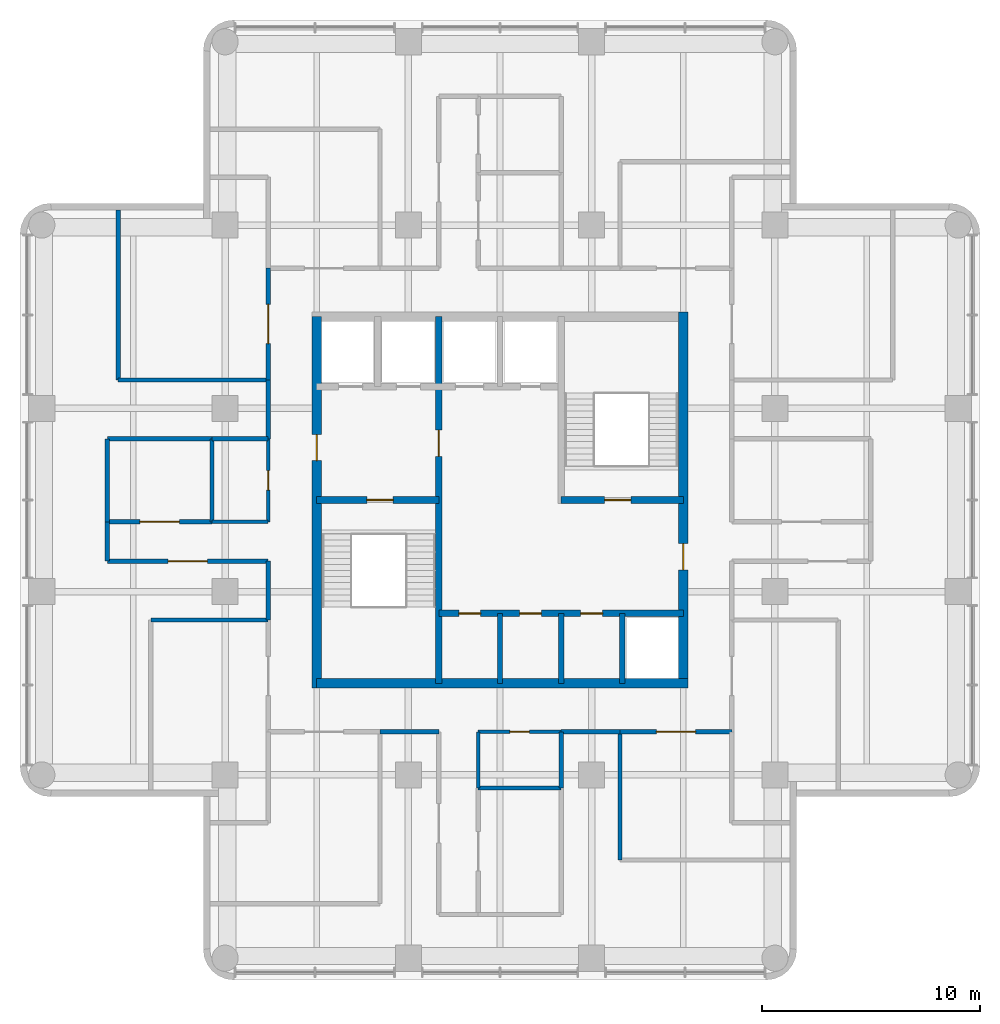
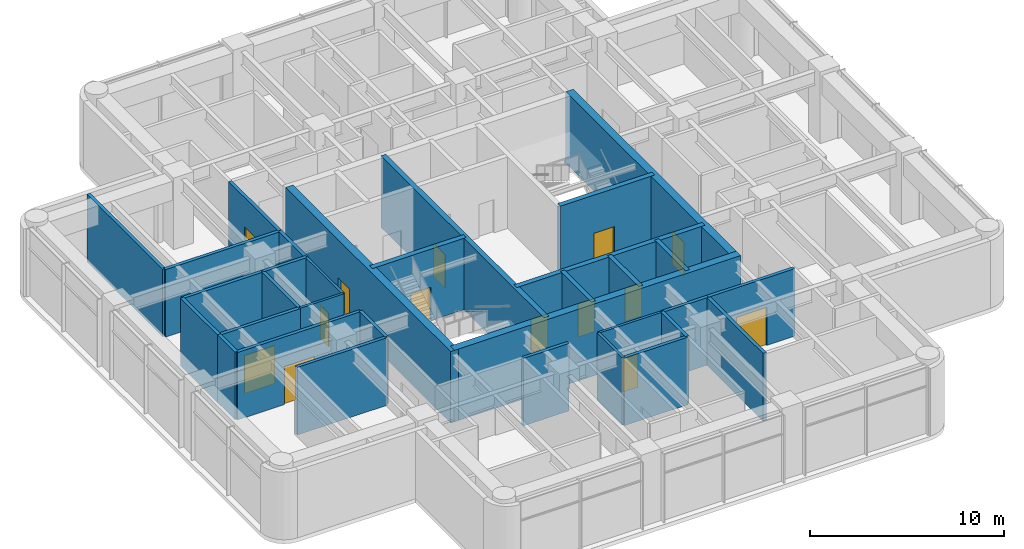
# One storey, part 5 of 8: 33 walls, 14 doors, 14 openings.
"""IFC4 building model written with IfcOpenShell, lengths in metres."""

from ifc_helpers import new_model, si_unit, direction, frame, frame_2d, origin, place, context, subcontext, project, spatial, rectangle, extrude, material, layer, layer_set, type_object, element, fill, save


model = new_model("IFC4")

# Units and contexts
model_context = context("Model", 3, precision=1e-05, world=origin(), true_north=direction((0.0, 1.0)))
body_context = subcontext(model_context, "Body", "Model", "MODEL_VIEW")
ifc_project = project(units=[si_unit("LENGTHUNIT", "METRE"), si_unit("AREAUNIT", "SQUARE_METRE"), si_unit("VOLUMEUNIT", "CUBIC_METRE"), si_unit("PLANEANGLEUNIT", "RADIAN"), si_unit("MASSUNIT", "GRAM", prefix="KILO")], contexts=[model_context])

# Site, building, storey
site_placement = place(None, origin())
site = spatial("IfcSite", under=ifc_project, at=site_placement, CompositionType="ELEMENT")
building_placement = place(site_placement, origin())
building = spatial("IfcBuilding", under=site, at=building_placement, Name="Torre Alcanfor", CompositionType="ELEMENT")
storey_placement = place(building_placement, frame((0.0, 0.0, 300.89990234375)))
storey = spatial("IfcBuildingStorey", under=building, at=storey_placement, Name="L79", CompositionType="ELEMENT", Elevation=300.89990234375)

# Wall, opening, door
ifc_material_1 = material(Name="Concrete f'c 70 MPa", Category="concrete")
ifc_layer_1 = layer(ifc_material_1, 0.300048828125)
ifc_layer_set_1 = layer_set([ifc_layer_1], Name="Core inner wall 300 f'c70")
wall_type_1 = type_object("IfcWallType", Name="Core inner wall 300 f'c70", PredefinedType="SHEAR", material=ifc_layer_set_1)
wall_1_placement = place(storey_placement, frame((26.60009765625, 21.0, 0.0), z_axis=(0.0, 0.0, 1.0), x_axis=(0.0, 1.0, 0.0)))
wall_1 = element("IfcWall", 1, at=wall_1_placement, inside=storey, type_object=wall_type_1, Name="Core wall X266 L79", PredefinedType="SHEAR", context=body_context, shape_type="SweptSolid", body=[
    extrude(rectangle(XDim=16.800048828125, YDim=0.300048828125, at=frame_2d((8.39990234375, 0.0))), origin(), (0.0, 0.0, 1.0), 4.5),
])
opening_1_placement = place(wall_1_placement, frame((10.39990234375, 0.0, 0.0)))
opening_1 = element("IfcOpeningElement", 2, at=opening_1_placement, cuts=wall_1, Name="Opening D-L1", PredefinedType="OPENING", context=body_context, shape_type="SweptSolid", body=[
    extrude(rectangle(XDim=1.199951171875, YDim=2.10009765625, at=frame_2d((0.60009765625, 1.050048828125))), frame((0.0, 0.159912109375, 0.0), z_axis=(0.0, -1.0, 0.0), x_axis=(1.0, 0.0, 0.0)), (0.0, 0.0, 1.0), 0.320068359375),
])
ifc_material_2 = material(Name="Galvanised steel sheet ASTM A653", Category="steel")
door_type_1 = type_object("IfcDoorType", Name="Lobby door FD120 1200x2100", OperationType="SINGLE_SWING_LEFT", PredefinedType="DOOR", material=ifc_material_2)
door_1_placement = place(opening_1_placement, origin())
door_1 = element("IfcDoor", 3, at=door_1_placement, inside=storey, type_object=door_type_1, Name="Lift lobby door L79", OperationType="SINGLE_SWING_LEFT", OverallHeight=2.10009765625, OverallWidth=1.199951171875, PredefinedType="DOOR", context=body_context, shape_type="SweptSolid", body=[
    extrude(rectangle(XDim=1.199951171875, YDim=2.10009765625, at=frame_2d((0.60009765625, 1.050048828125))), frame((0.0, 0.02490234375, 0.0), z_axis=(0.0, -1.0, 0.0), x_axis=(1.0, 0.0, 0.0)), (0.0, 0.0, 1.0), 0.050048828125),
])
fill(opening_1, door_1)

wall_2_placement = place(storey_placement, frame((21.0, 29.39990234375, 0.0), z_axis=(0.0, 0.0, 1.0), x_axis=(1.0, 0.0, 0.0)))
wall_2 = element("IfcWall", 4, at=wall_2_placement, inside=storey, type_object=wall_type_1, Name="Core wall Y294W L79", PredefinedType="SHEAR", context=body_context, shape_type="SweptSolid", body=[
    extrude(rectangle(XDim=5.60009765625, YDim=0.300048828125, at=frame_2d((2.800048828125, 0.0))), origin(), (0.0, 0.0, 1.0), 4.5),
])
opening_2_placement = place(wall_2_placement, frame((2.300048828125, 0.0, 0.0)))
opening_2 = element("IfcOpeningElement", 5, at=opening_2_placement, cuts=wall_2, Name="Opening D-S2", PredefinedType="OPENING", context=body_context, shape_type="SweptSolid", body=[
    extrude(rectangle(XDim=1.199951171875, YDim=2.10009765625, at=frame_2d((0.60009765625, 1.050048828125))), frame((0.0, 0.159912109375, 0.0), z_axis=(0.0, -1.0, 0.0), x_axis=(1.0, 0.0, 0.0)), (0.0, 0.0, 1.0), 0.320068359375),
])
ifc_material_3 = material(Name="Galvanised steel sheet ASTM A653", Category="steel")
door_type_2 = type_object("IfcDoorType", Name="Stair enclosure door FD120 1200x2100", OperationType="SINGLE_SWING_LEFT", PredefinedType="DOOR", material=ifc_material_3)
door_2_placement = place(opening_2_placement, frame((1.199951171875, 0.0, 0.0), z_axis=(0.0, 0.0, 1.0), x_axis=(-1.0, 0.0, 0.0)))
door_2 = element("IfcDoor", 6, at=door_2_placement, inside=storey, type_object=door_type_2, Name="Stair S1 door L79", OperationType="SINGLE_SWING_LEFT", OverallHeight=2.10009765625, OverallWidth=1.199951171875, PredefinedType="DOOR", context=body_context, shape_type="SweptSolid", body=[
    extrude(rectangle(XDim=1.199951171875, YDim=2.10009765625, at=frame_2d((0.599853515625, 1.050048828125))), frame((0.0, 0.025146484375, 0.0), z_axis=(0.0, -1.0, 0.0), x_axis=(1.0, 0.0, 0.0)), (0.0, 0.0, 1.0), 0.050048828125),
])
fill(opening_2, door_2)

# Wall, openings, doors
wall_3_placement = place(storey_placement, frame((26.60009765625, 24.199951171875, 0.0), z_axis=(0.0, 0.0, 1.0), x_axis=(1.0, 0.0, 0.0)))
wall_3 = element("IfcWall", 7, at=wall_3_placement, inside=storey, type_object=wall_type_1, Name="Core wall Y242 L79", PredefinedType="SHEAR", context=body_context, shape_type="SweptSolid", body=[
    extrude(rectangle(XDim=11.199951171875, YDim=0.300048828125, at=frame_2d((5.60009765625, 0.0))), origin(), (0.0, 0.0, 1.0), 4.5),
])
opening_3_placement = place(wall_3_placement, frame((0.91259765625, 0.0, 0.0)))
opening_3 = element("IfcOpeningElement", 8, at=opening_3_placement, cuts=wall_3, Name="Opening D-K1", PredefinedType="OPENING", context=body_context, shape_type="SweptSolid", body=[
    extrude(rectangle(XDim=1.0, YDim=2.10009765625, at=frame_2d((0.5, 1.050048828125))), frame((0.0, 0.159912109375, 0.0), z_axis=(0.0, -1.0, 0.0), x_axis=(1.0, 0.0, 0.0)), (0.0, 0.0, 1.0), 0.320068359375),
])
opening_4_placement = place(wall_3_placement, frame((3.699951171875, 0.0, 0.0)))
opening_4 = element("IfcOpeningElement", 9, at=opening_4_placement, cuts=wall_3, Name="Opening D-K1", PredefinedType="OPENING", context=body_context, shape_type="SweptSolid", body=[
    extrude(rectangle(XDim=1.0, YDim=2.10009765625, at=frame_2d((0.5, 1.050048828125))), frame((0.0, 0.159912109375, 0.0), z_axis=(0.0, -1.0, 0.0), x_axis=(1.0, 0.0, 0.0)), (0.0, 0.0, 1.0), 0.320068359375),
])
opening_5_placement = place(wall_3_placement, frame((6.5, 0.0, 0.0)))
opening_5 = element("IfcOpeningElement", 10, at=opening_5_placement, cuts=wall_3, Name="Opening D-K1", PredefinedType="OPENING", context=body_context, shape_type="SweptSolid", body=[
    extrude(rectangle(XDim=1.0, YDim=2.10009765625, at=frame_2d((0.5, 1.050048828125))), frame((0.0, 0.159912109375, 0.0), z_axis=(0.0, -1.0, 0.0), x_axis=(1.0, 0.0, 0.0)), (0.0, 0.0, 1.0), 0.320068359375),
])
ifc_material_4 = material(Name="Galvanised steel sheet ASTM A653", Category="steel")
door_type_3 = type_object("IfcDoorType", Name="Core room door FD60 1000x2100", OperationType="SINGLE_SWING_LEFT", PredefinedType="DOOR", material=ifc_material_4)
door_3_placement = place(opening_3_placement, frame((1.0, 0.0, 0.0), z_axis=(0.0, 0.0, 1.0), x_axis=(-1.0, 0.0, 0.0)))
door_3 = element("IfcDoor", 11, at=door_3_placement, inside=storey, type_object=door_type_3, Name="Plant store door L79", OperationType="SINGLE_SWING_RIGHT", OverallHeight=2.10009765625, OverallWidth=1.0, PredefinedType="DOOR", context=body_context, shape_type="SweptSolid", body=[
    extrude(rectangle(XDim=1.0, YDim=2.10009765625, at=frame_2d((0.5, 1.050048828125))), frame((0.0, 0.025146484375, 0.0), z_axis=(0.0, -1.0, 0.0), x_axis=(1.0, 0.0, 0.0)), (0.0, 0.0, 1.0), 0.050048828125),
])
fill(opening_3, door_3)
door_4_placement = place(opening_4_placement, frame((1.0, 0.0, 0.0), z_axis=(0.0, 0.0, 1.0), x_axis=(-1.0, 0.0, 0.0)))
door_4 = element("IfcDoor", 12, at=door_4_placement, inside=storey, type_object=door_type_3, Name="Maintenance store door L79", OperationType="SINGLE_SWING_RIGHT", OverallHeight=2.10009765625, OverallWidth=1.0, PredefinedType="DOOR", context=body_context, shape_type="SweptSolid", body=[
    extrude(rectangle(XDim=1.0, YDim=2.10009765625, at=frame_2d((0.5, 1.050048828125))), frame((0.0, 0.025146484375, 0.0), z_axis=(0.0, -1.0, 0.0), x_axis=(1.0, 0.0, 0.0)), (0.0, 0.0, 1.0), 0.050048828125),
])
fill(opening_4, door_4)
door_5_placement = place(opening_5_placement, frame((1.0, 0.0, 0.0), z_axis=(0.0, 0.0, 1.0), x_axis=(-1.0, 0.0, 0.0)))
door_5 = element("IfcDoor", 13, at=door_5_placement, inside=storey, type_object=door_type_3, Name="Crown plant store door L79", OperationType="SINGLE_SWING_RIGHT", OverallHeight=2.10009765625, OverallWidth=1.0, PredefinedType="DOOR", context=body_context, shape_type="SweptSolid", body=[
    extrude(rectangle(XDim=1.0, YDim=2.10009765625, at=frame_2d((0.5, 1.050048828125))), frame((0.0, 0.025146484375, 0.0), z_axis=(0.0, -1.0, 0.0), x_axis=(1.0, 0.0, 0.0)), (0.0, 0.0, 1.0), 0.050048828125),
])
fill(opening_5, door_5)

# Wall, opening, door
wall_4_placement = place(storey_placement, frame((32.199951171875, 29.39990234375, 0.0), z_axis=(0.0, 0.0, 1.0), x_axis=(1.0, 0.0, 0.0)))
wall_4 = element("IfcWall", 14, at=wall_4_placement, inside=storey, type_object=wall_type_1, Name="Core wall Y294E L79", PredefinedType="SHEAR", context=body_context, shape_type="SweptSolid", body=[
    extrude(rectangle(XDim=5.60009765625, YDim=0.300048828125, at=frame_2d((2.800048828125, 0.0))), origin(), (0.0, 0.0, 1.0), 4.5),
])
opening_6_placement = place(wall_4_placement, frame((2.0, 0.0, 0.0)))
opening_6 = element("IfcOpeningElement", 15, at=opening_6_placement, cuts=wall_4, Name="Opening D-S2", PredefinedType="OPENING", context=body_context, shape_type="SweptSolid", body=[
    extrude(rectangle(XDim=1.199951171875, YDim=2.10009765625, at=frame_2d((0.60009765625, 1.050048828125))), frame((0.0, 0.159912109375, 0.0), z_axis=(0.0, -1.0, 0.0), x_axis=(1.0, 0.0, 0.0)), (0.0, 0.0, 1.0), 0.320068359375),
])
door_6_placement = place(opening_6_placement, origin())
door_6 = element("IfcDoor", 16, at=door_6_placement, inside=storey, type_object=door_type_2, Name="Stair S2 door L79", OperationType="SINGLE_SWING_LEFT", OverallHeight=2.10009765625, OverallWidth=1.199951171875, PredefinedType="DOOR", context=body_context, shape_type="SweptSolid", body=[
    extrude(rectangle(XDim=1.199951171875, YDim=2.10009765625, at=frame_2d((0.60009765625, 1.050048828125))), frame((0.0, 0.02490234375, 0.0), z_axis=(0.0, -1.0, 0.0), x_axis=(1.0, 0.0, 0.0)), (0.0, 0.0, 1.0), 0.050048828125),
])
fill(opening_6, door_6)

# Walls
ifc_material_5 = material(Name="Concrete f'c 70 MPa", Category="concrete")
ifc_layer_2 = layer(ifc_material_5, 0.25)
ifc_layer_set_2 = layer_set([ifc_layer_2], Name="Core shaft wall 250 f'c70")
wall_type_2 = type_object("IfcWallType", Name="Core shaft wall 250 f'c70", PredefinedType="SHEAR", material=ifc_layer_set_2)
for number, where, z_axis, x_axis, name in (
    (17, (29.39990234375, 21.0, 0.0), (0.0, 0.0, 1.0), (0.0, 1.0, 0.0), "Core wall X294S L79"),
    (18, (32.199951171875, 21.0, 0.0), (0.0, 0.0, 1.0), (0.0, 1.0, 0.0), "Core wall X322S L79"),
    (19, (35.0, 21.0, 0.0), (0.0, 0.0, 1.0), (0.0, 1.0, 0.0), "Core wall X350S L79"),
):
    element("IfcWall", number, at=place(storey_placement, frame(where, z_axis=z_axis, x_axis=x_axis)), inside=storey, type_object=wall_type_2, Name=name, PredefinedType="SHEAR", context=body_context, shape_type="SweptSolid", body=[
        extrude(rectangle(XDim=3.199951171875, YDim=0.25, at=frame_2d((1.60009765625, 0.0))), origin(), (0.0, 0.0, 1.0), 4.5),
    ])
ifc_material_6 = material(Name="Concrete f'c 70 MPa", Category="concrete")
ifc_layer_3 = layer(ifc_material_6, 0.449951171875)
ifc_layer_set_3 = layer_set([ifc_layer_3], Name="Core wall 450 f'c70")
wall_type_3 = type_object("IfcWallType", Name="Core wall 450 f'c70", PredefinedType="SHEAR", material=ifc_layer_set_3)
wall_5_placement = place(storey_placement, frame((21.0, 21.0, 0.0), z_axis=(0.0, 0.0, 1.0), x_axis=(1.0, 0.0, 0.0)))
element("IfcWall", 20, at=wall_5_placement, inside=storey, type_object=wall_type_3, Name="Core wall OUT-S L79", PredefinedType="SHEAR", context=body_context, shape_type="SweptSolid", body=[
    extrude(rectangle(XDim=17.02490234375, YDim=0.449951171875, at=frame_2d((8.512451171875, 0.0))), origin(), (0.0, 0.0, 1.0), 4.5),
])

# Wall, opening, door
wall_6_placement = place(storey_placement, frame((37.800048828125, 21.0, 0.0), z_axis=(0.0, 0.0, 1.0), x_axis=(0.0, 1.0, 0.0)))
wall_6 = element("IfcWall", 21, at=wall_6_placement, inside=storey, type_object=wall_type_3, Name="Core wall OUT-E L79", PredefinedType="SHEAR", context=body_context, shape_type="SweptSolid", body=[
    extrude(rectangle(XDim=17.02490234375, YDim=0.449951171875, at=frame_2d((8.512451171875, 0.0))), origin(), (0.0, 0.0, 1.0), 4.5),
])
opening_7_placement = place(wall_6_placement, frame((5.199951171875, 0.0, 0.0)))
opening_7 = element("IfcOpeningElement", 22, at=opening_7_placement, cuts=wall_6, Name="Opening D-L1", PredefinedType="OPENING", context=body_context, shape_type="SweptSolid", body=[
    extrude(rectangle(XDim=1.199951171875, YDim=2.10009765625, at=frame_2d((0.60009765625, 1.050048828125))), frame((0.0, 0.23486328125, 0.0), z_axis=(0.0, -1.0, 0.0), x_axis=(1.0, 0.0, 0.0)), (0.0, 0.0, 1.0), 0.469970703125),
])
door_7_placement = place(opening_7_placement, origin())
door_7 = element("IfcDoor", 23, at=door_7_placement, inside=storey, type_object=door_type_1, Name="Lift lobby entrance door L79", OperationType="SINGLE_SWING_LEFT", OverallHeight=2.10009765625, OverallWidth=1.199951171875, PredefinedType="DOOR", context=body_context, shape_type="SweptSolid", body=[
    extrude(rectangle(XDim=1.199951171875, YDim=2.10009765625, at=frame_2d((0.60009765625, 1.050048828125))), frame((0.0, 0.02490234375, 0.0), z_axis=(0.0, -1.0, 0.0), x_axis=(1.0, 0.0, 0.0)), (0.0, 0.0, 1.0), 0.050048828125),
])
fill(opening_7, door_7)

wall_7_placement = place(storey_placement, frame((21.0, 37.800048828125, 0.0), z_axis=(0.0, 0.0, 1.0), x_axis=(0.0, -1.0, 0.0)))
wall_7 = element("IfcWall", 24, at=wall_7_placement, inside=storey, type_object=wall_type_3, Name="Core wall OUT-W L79", PredefinedType="SHEAR", context=body_context, shape_type="SweptSolid", body=[
    extrude(rectangle(XDim=17.025146484375, YDim=0.449951171875, at=frame_2d((8.5126953125, 0.0))), origin(), (0.0, 0.0, 1.0), 4.5),
])
opening_8_placement = place(wall_7_placement, frame((5.39990234375, 0.0, 0.0)))
opening_8 = element("IfcOpeningElement", 25, at=opening_8_placement, cuts=wall_7, Name="Opening D-L1", PredefinedType="OPENING", context=body_context, shape_type="SweptSolid", body=[
    extrude(rectangle(XDim=1.199951171875, YDim=2.10009765625, at=frame_2d((0.60009765625, 1.050048828125))), frame((0.0, 0.23486328125, 0.0), z_axis=(0.0, -1.0, 0.0), x_axis=(1.0, 0.0, 0.0)), (0.0, 0.0, 1.0), 0.469970703125),
])
door_8_placement = place(opening_8_placement, origin())
door_8 = element("IfcDoor", 26, at=door_8_placement, inside=storey, type_object=door_type_1, Name="Firefighting lobby door L79", OperationType="SINGLE_SWING_RIGHT", OverallHeight=2.10009765625, OverallWidth=1.199951171875, PredefinedType="DOOR", context=body_context, shape_type="SweptSolid", body=[
    extrude(rectangle(XDim=1.199951171875, YDim=2.10009765625, at=frame_2d((0.60009765625, 1.050048828125))), frame((0.0, 0.02490234375, 0.0), z_axis=(0.0, -1.0, 0.0), x_axis=(1.0, 0.0, 0.0)), (0.0, 0.0, 1.0), 0.050048828125),
])
fill(opening_8, door_8)

ifc_material_7 = material(Name="Concrete block masonry, hollow blocks NMX-C-404 9 MPa", Category="masonry")
ifc_layer_4 = layer(ifc_material_7, 0.199951171875)
ifc_layer_set_4 = layer_set([ifc_layer_4], Name="Plant room wall 200 EI 60")
wall_type_4 = type_object("IfcWallType", Name="Plant room wall 200 EI 60", PredefinedType="PARTITIONING", material=ifc_layer_set_4)
wall_8_placement = place(storey_placement, frame((40.02490234375, 18.77490234375, 0.0), z_axis=(0.0, 0.0, 1.0), x_axis=(-1.0, 0.0, 0.0)))
wall_8 = element("IfcWall", 27, at=wall_8_placement, inside=storey, type_object=wall_type_4, Name="Partition L79-CORR / L79-S2", PredefinedType="PARTITIONING", context=body_context, shape_type="SweptSolid", body=[
    extrude(rectangle(XDim=5.125, YDim=0.199951171875, at=frame_2d((2.5625, 0.0))), origin(), (0.0, 0.0, 1.0), 4.25),
])
opening_9_placement = place(wall_8_placement, frame((1.66259765625, 0.0, 0.0)))
opening_9 = element("IfcOpeningElement", 28, at=opening_9_placement, cuts=wall_8, Name="Opening D-P1", PredefinedType="OPENING", context=body_context, shape_type="SweptSolid", body=[
    extrude(rectangle(XDim=1.800048828125, YDim=2.39990234375, at=frame_2d((0.89990234375, 1.199951171875))), frame((0.0, 0.10986328125, 0.0), z_axis=(0.0, -1.0, 0.0), x_axis=(1.0, 0.0, 0.0)), (0.0, 0.0, 1.0), 0.219970703125),
])
ifc_material_8 = material(Name="Galvanised steel sheet ASTM A653", Category="steel")
door_type_4 = type_object("IfcDoorType", Name="Plant room door FD60 1800x2400", OperationType="DOUBLE_DOOR_SINGLE_SWING", PredefinedType="DOOR", material=ifc_material_8)
door_9_placement = place(opening_9_placement, origin())
door_9 = element("IfcDoor", 29, at=door_9_placement, inside=storey, type_object=door_type_4, Name="Door L79-S2 refrigerant detection plant room", OperationType="DOUBLE_DOOR_SINGLE_SWING", OverallHeight=2.39990234375, OverallWidth=1.800048828125, PredefinedType="DOOR", context=body_context, shape_type="SweptSolid", body=[
    extrude(rectangle(XDim=1.800048828125, YDim=2.39990234375, at=frame_2d((0.89990234375, 1.199951171875))), frame((0.0, 0.02490234375, 0.0), z_axis=(0.0, -1.0, 0.0), x_axis=(1.0, 0.0, 0.0)), (0.0, 0.0, 1.0), 0.050048828125),
])
fill(opening_9, door_9)

# Walls
wall_9_placement = place(storey_placement, frame((26.60009765625, 18.77490234375, 0.0), z_axis=(0.0, 0.0, 1.0), x_axis=(-1.0, 0.0, 0.0)))
element("IfcWall", 30, at=wall_9_placement, inside=storey, type_object=wall_type_4, Name="Partition L79-CORR / L79-SH", PredefinedType="PARTITIONING", context=body_context, shape_type="SweptSolid", body=[
    extrude(rectangle(XDim=2.7001953125, YDim=0.199951171875, at=frame_2d((1.35009765625, 0.0))), origin(), (0.0, 0.0, 1.0), 4.25),
])
wall_10_placement = place(storey_placement, frame((34.89990234375, 18.77490234375, 0.0), z_axis=(0.0, 0.0, 1.0), x_axis=(-1.0, 0.0, 0.0)))
element("IfcWall", 31, at=wall_10_placement, inside=storey, type_object=wall_type_4, Name="Partition L79-CORR / L79-SH", PredefinedType="PARTITIONING", context=body_context, shape_type="SweptSolid", body=[
    extrude(rectangle(XDim=2.699951171875, YDim=0.199951171875, at=frame_2d((1.35009765625, 0.0))), origin(), (0.0, 0.0, 1.0), 4.25),
])

# Wall, opening, door
wall_11_placement = place(storey_placement, frame((18.77490234375, 34.89990234375, 0.0), z_axis=(0.0, 0.0, 1.0), x_axis=(0.0, 1.0, 0.0)))
wall_11 = element("IfcWall", 32, at=wall_11_placement, inside=storey, type_object=wall_type_4, Name="Partition L79-CORR / L79-W2", PredefinedType="PARTITIONING", context=body_context, shape_type="SweptSolid", body=[
    extrude(rectangle(XDim=5.125, YDim=0.199951171875, at=frame_2d((2.5625, 0.0))), origin(), (0.0, 0.0, 1.0), 4.25),
])
opening_10_placement = place(wall_11_placement, frame((1.66259765625, 0.0, 0.0)))
opening_10 = element("IfcOpeningElement", 33, at=opening_10_placement, cuts=wall_11, Name="Opening D-P1", PredefinedType="OPENING", context=body_context, shape_type="SweptSolid", body=[
    extrude(rectangle(XDim=1.800048828125, YDim=2.39990234375, at=frame_2d((0.89990234375, 1.199951171875))), frame((0.0, 0.10986328125, 0.0), z_axis=(0.0, -1.0, 0.0), x_axis=(1.0, 0.0, 0.0)), (0.0, 0.0, 1.0), 0.219970703125),
])
door_10_placement = place(opening_10_placement, origin())
door_10 = element("IfcDoor", 34, at=door_10_placement, inside=storey, type_object=door_type_4, Name="Door L79-W2 chilled water primary pump room", OperationType="DOUBLE_DOOR_SINGLE_SWING", OverallHeight=2.39990234375, OverallWidth=1.800048828125, PredefinedType="DOOR", context=body_context, shape_type="SweptSolid", body=[
    extrude(rectangle(XDim=1.800048828125, YDim=2.39990234375, at=frame_2d((0.89990234375, 1.199951171875))), frame((0.0, 0.02490234375, 0.0), z_axis=(0.0, -1.0, 0.0), x_axis=(1.0, 0.0, 0.0)), (0.0, 0.0, 1.0), 0.050048828125),
])
fill(opening_10, door_10)

# Walls
wall_12_placement = place(storey_placement, frame((18.77490234375, 23.89990234375, 0.0), z_axis=(0.0, 0.0, 1.0), x_axis=(0.0, 1.0, 0.0)))
element("IfcWall", 35, at=wall_12_placement, inside=storey, type_object=wall_type_4, Name="Partition L79-CORR / L79-WH", PredefinedType="PARTITIONING", context=body_context, shape_type="SweptSolid", body=[
    extrude(rectangle(XDim=2.7001953125, YDim=0.199951171875, at=frame_2d((1.35009765625, 0.0))), origin(), (0.0, 0.0, 1.0), 4.25),
])
wall_13_placement = place(storey_placement, frame((18.77490234375, 32.199951171875, 0.0), z_axis=(0.0, 0.0, 1.0), x_axis=(0.0, 1.0, 0.0)))
element("IfcWall", 36, at=wall_13_placement, inside=storey, type_object=wall_type_4, Name="Partition L79-CORR / L79-WH", PredefinedType="PARTITIONING", context=body_context, shape_type="SweptSolid", body=[
    extrude(rectangle(XDim=2.699951171875, YDim=0.199951171875, at=frame_2d((1.35009765625, 0.0))), origin(), (0.0, 0.0, 1.0), 4.25),
])
wall_14_placement = place(storey_placement, frame((34.89990234375, 12.89990234375, 0.0), z_axis=(0.0, 0.0, 1.0), x_axis=(0.0, 1.0, 0.0)))
element("IfcWall", 37, at=wall_14_placement, inside=storey, type_object=wall_type_4, Name="Partition L79-S2 / L79-SH", PredefinedType="PARTITIONING", context=body_context, shape_type="SweptSolid", body=[
    extrude(rectangle(XDim=5.875, YDim=0.199951171875, at=frame_2d((2.9375, 0.0))), origin(), (0.0, 0.0, 1.0), 4.25),
])
wall_15_placement = place(storey_placement, frame((32.199951171875, 16.199951171875, 0.0), z_axis=(0.0, 0.0, 1.0), x_axis=(-1.0, 0.0, 0.0)))
element("IfcWall", 38, at=wall_15_placement, inside=storey, type_object=wall_type_4, Name="Partition L79-S3 / L79-S4", PredefinedType="PARTITIONING", context=body_context, shape_type="SweptSolid", body=[
    extrude(rectangle(XDim=3.800048828125, YDim=0.199951171875, at=frame_2d((1.89990234375, 0.0))), origin(), (0.0, 0.0, 1.0), 4.25),
])
wall_16_placement = place(storey_placement, frame((32.199951171875, 18.77490234375, 0.0), z_axis=(0.0, 0.0, 1.0), x_axis=(0.0, -1.0, 0.0)))
element("IfcWall", 39, at=wall_16_placement, inside=storey, type_object=wall_type_4, Name="Partition L79-S3 / L79-SH", PredefinedType="PARTITIONING", context=body_context, shape_type="SweptSolid", body=[
    extrude(rectangle(XDim=2.574951171875, YDim=0.199951171875, at=frame_2d((1.28759765625, 0.0))), origin(), (0.0, 0.0, 1.0), 4.25),
])
wall_17_placement = place(storey_placement, frame((13.39990234375, 23.89990234375, 0.0), z_axis=(0.0, 0.0, 1.0), x_axis=(1.0, 0.0, 0.0)))
element("IfcWall", 40, at=wall_17_placement, inside=storey, type_object=wall_type_4, Name="Partition L79-W1 / L79-WH", PredefinedType="PARTITIONING", context=body_context, shape_type="SweptSolid", body=[
    extrude(rectangle(XDim=5.375, YDim=0.199951171875, at=frame_2d((2.6875, 0.0))), origin(), (0.0, 0.0, 1.0), 4.25),
])
wall_18_placement = place(storey_placement, frame((18.77490234375, 34.89990234375, 0.0), z_axis=(0.0, 0.0, 1.0), x_axis=(-1.0, 0.0, 0.0)))
element("IfcWall", 41, at=wall_18_placement, inside=storey, type_object=wall_type_4, Name="Partition L79-W2 / L79-WH", PredefinedType="PARTITIONING", context=body_context, shape_type="SweptSolid", body=[
    extrude(rectangle(XDim=6.875, YDim=0.199951171875, at=frame_2d((3.4375, 0.0))), origin(), (0.0, 0.0, 1.0), 4.25),
])
wall_19_placement = place(storey_placement, frame((11.89990234375, 34.89990234375, 0.0), z_axis=(0.0, 0.0, 1.0), x_axis=(0.0, 1.0, 0.0)))
element("IfcWall", 42, at=wall_19_placement, inside=storey, type_object=wall_type_4, Name="Partition L79-W2 / L79-WH", PredefinedType="PARTITIONING", context=body_context, shape_type="SweptSolid", body=[
    extrude(rectangle(XDim=7.800048828125, YDim=0.199951171875, at=frame_2d((3.89990234375, 0.0))), origin(), (0.0, 0.0, 1.0), 4.25),
])

# Wall, opening, door
wall_20_placement = place(storey_placement, frame((11.39990234375, 28.39990234375, 0.0), z_axis=(0.0, 0.0, 1.0), x_axis=(1.0, 0.0, 0.0)))
wall_20 = element("IfcWall", 43, at=wall_20_placement, inside=storey, type_object=wall_type_4, Name="Partition L79-WC / L79-W4", PredefinedType="PARTITIONING", context=body_context, shape_type="SweptSolid", body=[
    extrude(rectangle(XDim=4.800048828125, YDim=0.199951171875, at=frame_2d((2.39990234375, 0.0))), origin(), (0.0, 0.0, 1.0), 4.25),
])
opening_11_placement = place(wall_20_placement, frame((1.5, 0.0, 0.0)))
opening_11 = element("IfcOpeningElement", 44, at=opening_11_placement, cuts=wall_20, Name="Opening D-P1", PredefinedType="OPENING", context=body_context, shape_type="SweptSolid", body=[
    extrude(rectangle(XDim=1.800048828125, YDim=2.39990234375, at=frame_2d((0.89990234375, 1.199951171875))), frame((0.0, 0.10986328125, 0.0), z_axis=(0.0, -1.0, 0.0), x_axis=(1.0, 0.0, 0.0)), (0.0, 0.0, 1.0), 0.219970703125),
])
door_11_placement = place(opening_11_placement, origin())
door_11 = element("IfcDoor", 45, at=door_11_placement, inside=storey, type_object=door_type_4, Name="Door L79-W4 sprinkler zone valve room", OperationType="DOUBLE_DOOR_SINGLE_SWING", OverallHeight=2.39990234375, OverallWidth=1.800048828125, PredefinedType="DOOR", context=body_context, shape_type="SweptSolid", body=[
    extrude(rectangle(XDim=1.800048828125, YDim=2.39990234375, at=frame_2d((0.89990234375, 1.199951171875))), frame((0.0, 0.02490234375, 0.0), z_axis=(0.0, -1.0, 0.0), x_axis=(1.0, 0.0, 0.0)), (0.0, 0.0, 1.0), 0.050048828125),
])
fill(opening_11, door_11)

wall_21_placement = place(storey_placement, frame((18.77490234375, 26.60009765625, 0.0), z_axis=(0.0, 0.0, 1.0), x_axis=(-1.0, 0.0, 0.0)))
wall_21 = element("IfcWall", 46, at=wall_21_placement, inside=storey, type_object=wall_type_4, Name="Partition L79-WC / L79-WH", PredefinedType="PARTITIONING", context=body_context, shape_type="SweptSolid", body=[
    extrude(rectangle(XDim=7.375, YDim=0.199951171875, at=frame_2d((3.6875, 0.0))), origin(), (0.0, 0.0, 1.0), 4.25),
])
opening_12_placement = place(wall_21_placement, frame((2.78759765625, 0.0, 0.0)))
opening_12 = element("IfcOpeningElement", 47, at=opening_12_placement, cuts=wall_21, Name="Opening D-P1", PredefinedType="OPENING", context=body_context, shape_type="SweptSolid", body=[
    extrude(rectangle(XDim=1.800048828125, YDim=2.39990234375, at=frame_2d((0.89990234375, 1.199951171875))), frame((0.0, 0.10986328125, 0.0), z_axis=(0.0, -1.0, 0.0), x_axis=(1.0, 0.0, 0.0)), (0.0, 0.0, 1.0), 0.219970703125),
])
door_12_placement = place(opening_12_placement, origin())
door_12 = element("IfcDoor", 48, at=door_12_placement, inside=storey, type_object=door_type_4, Name="Door L79-WH chiller plant room", OperationType="DOUBLE_DOOR_SINGLE_SWING", OverallHeight=2.39990234375, OverallWidth=1.800048828125, PredefinedType="DOOR", context=body_context, shape_type="SweptSolid", body=[
    extrude(rectangle(XDim=1.800048828125, YDim=2.39990234375, at=frame_2d((0.89990234375, 1.199951171875))), frame((0.0, 0.02490234375, 0.0), z_axis=(0.0, -1.0, 0.0), x_axis=(1.0, 0.0, 0.0)), (0.0, 0.0, 1.0), 0.050048828125),
])
fill(opening_12, door_12)

# Walls
wall_22_placement = place(storey_placement, frame((11.39990234375, 26.60009765625, 0.0), z_axis=(0.0, 0.0, 1.0), x_axis=(0.0, 1.0, 0.0)))
element("IfcWall", 49, at=wall_22_placement, inside=storey, type_object=wall_type_4, Name="Partition L79-WC / L79-WH", PredefinedType="PARTITIONING", context=body_context, shape_type="SweptSolid", body=[
    extrude(rectangle(XDim=1.7998046875, YDim=0.199951171875, at=frame_2d((0.89990234375, 0.0))), origin(), (0.0, 0.0, 1.0), 4.25),
])
wall_23_placement = place(storey_placement, frame((16.199951171875, 28.39990234375, 0.0), z_axis=(0.0, 0.0, 1.0), x_axis=(0.0, 1.0, 0.0)))
element("IfcWall", 50, at=wall_23_placement, inside=storey, type_object=wall_type_4, Name="Partition L79-W3 / L79-W4", PredefinedType="PARTITIONING", context=body_context, shape_type="SweptSolid", body=[
    extrude(rectangle(XDim=3.800048828125, YDim=0.199951171875, at=frame_2d((1.89990234375, 0.0))), origin(), (0.0, 0.0, 1.0), 4.25),
])
wall_24_placement = place(storey_placement, frame((16.199951171875, 32.199951171875, 0.0), z_axis=(0.0, 0.0, 1.0), x_axis=(1.0, 0.0, 0.0)))
element("IfcWall", 51, at=wall_24_placement, inside=storey, type_object=wall_type_4, Name="Partition L79-W3 / L79-WH", PredefinedType="PARTITIONING", context=body_context, shape_type="SweptSolid", body=[
    extrude(rectangle(XDim=2.574951171875, YDim=0.199951171875, at=frame_2d((1.28759765625, 0.0))), origin(), (0.0, 0.0, 1.0), 4.25),
])
wall_25_placement = place(storey_placement, frame((11.39990234375, 28.39990234375, 0.0), z_axis=(0.0, 0.0, 1.0), x_axis=(0.0, 1.0, 0.0)))
element("IfcWall", 52, at=wall_25_placement, inside=storey, type_object=wall_type_4, Name="Partition L79-W4 / L79-WH", PredefinedType="PARTITIONING", context=body_context, shape_type="SweptSolid", body=[
    extrude(rectangle(XDim=3.800048828125, YDim=0.199951171875, at=frame_2d((1.89990234375, 0.0))), origin(), (0.0, 0.0, 1.0), 4.25),
])
wall_26_placement = place(storey_placement, frame((11.39990234375, 32.199951171875, 0.0), z_axis=(0.0, 0.0, 1.0), x_axis=(1.0, 0.0, 0.0)))
element("IfcWall", 53, at=wall_26_placement, inside=storey, type_object=wall_type_4, Name="Partition L79-W4 / L79-WH", PredefinedType="PARTITIONING", context=body_context, shape_type="SweptSolid", body=[
    extrude(rectangle(XDim=4.800048828125, YDim=0.199951171875, at=frame_2d((2.39990234375, 0.0))), origin(), (0.0, 0.0, 1.0), 4.25),
])

# Wall, opening, door
ifc_material_9 = material(Name="Cement board on steel studs", Category="steel")
ifc_layer_5 = layer(ifc_material_9, 0.14990234375)
ifc_layer_set_5 = layer_set([ifc_layer_5], Name="Wet area partition 150")
wall_type_5 = type_object("IfcWallType", Name="Wet area partition 150", PredefinedType="PARTITIONING", material=ifc_layer_set_5)
wall_27_placement = place(storey_placement, frame((32.199951171875, 18.77490234375, 0.0), z_axis=(0.0, 0.0, 1.0), x_axis=(-1.0, 0.0, 0.0)))
wall_27 = element("IfcWall", 54, at=wall_27_placement, inside=storey, type_object=wall_type_5, Name="Partition L79-CORR / L79-S3", PredefinedType="PARTITIONING", context=body_context, shape_type="SweptSolid", body=[
    extrude(rectangle(XDim=3.800048828125, YDim=0.14990234375, at=frame_2d((1.89990234375, 0.0))), origin(), (0.0, 0.0, 1.0), 4.25),
])
opening_13_placement = place(wall_27_placement, frame((1.449951171875, 0.0, 0.0)))
opening_13 = element("IfcOpeningElement", 55, at=opening_13_placement, cuts=wall_27, Name="Opening D-W1", PredefinedType="OPENING", context=body_context, shape_type="SweptSolid", body=[
    extrude(rectangle(XDim=0.89990234375, YDim=2.10009765625, at=frame_2d((0.449951171875, 1.050048828125))), frame((0.0, 0.0849609375, 0.0), z_axis=(0.0, -1.0, 0.0), x_axis=(1.0, 0.0, 0.0)), (0.0, 0.0, 1.0), 0.169921875),
])
ifc_material_10 = material(Name="Timber", Category="wood")
door_type_5 = type_object("IfcDoorType", Name="Toilet door 900x2100", OperationType="SINGLE_SWING_LEFT", PredefinedType="DOOR", material=ifc_material_10)
door_13_placement = place(opening_13_placement, origin())
door_13 = element("IfcDoor", 56, at=door_13_placement, inside=storey, type_object=door_type_5, Name="Door L79-S3 maintenance wc", OperationType="SINGLE_SWING_LEFT", OverallHeight=2.10009765625, OverallWidth=0.89990234375, PredefinedType="DOOR", context=body_context, shape_type="SweptSolid", body=[
    extrude(rectangle(XDim=0.89990234375, YDim=2.10009765625, at=frame_2d((0.449951171875, 1.050048828125))), frame((0.0, 0.02490234375, 0.0), z_axis=(0.0, -1.0, 0.0), x_axis=(1.0, 0.0, 0.0)), (0.0, 0.0, 1.0), 0.050048828125),
])
fill(opening_13, door_13)

wall_28_placement = place(storey_placement, frame((18.77490234375, 28.39990234375, 0.0), z_axis=(0.0, 0.0, 1.0), x_axis=(0.0, 1.0, 0.0)))
wall_28 = element("IfcWall", 57, at=wall_28_placement, inside=storey, type_object=wall_type_5, Name="Partition L79-CORR / L79-W3", PredefinedType="PARTITIONING", context=body_context, shape_type="SweptSolid", body=[
    extrude(rectangle(XDim=3.800048828125, YDim=0.14990234375, at=frame_2d((1.89990234375, 0.0))), origin(), (0.0, 0.0, 1.0), 4.25),
])
opening_14_placement = place(wall_28_placement, frame((1.449951171875, 0.0, 0.0)))
opening_14 = element("IfcOpeningElement", 58, at=opening_14_placement, cuts=wall_28, Name="Opening D-W1", PredefinedType="OPENING", context=body_context, shape_type="SweptSolid", body=[
    extrude(rectangle(XDim=0.89990234375, YDim=2.10009765625, at=frame_2d((0.449951171875, 1.050048828125))), frame((0.0, 0.0849609375, 0.0), z_axis=(0.0, -1.0, 0.0), x_axis=(1.0, 0.0, 0.0)), (0.0, 0.0, 1.0), 0.169921875),
])
door_14_placement = place(opening_14_placement, origin())
door_14 = element("IfcDoor", 59, at=door_14_placement, inside=storey, type_object=door_type_5, Name="Door L79-W3 maintenance wc", OperationType="SINGLE_SWING_LEFT", OverallHeight=2.10009765625, OverallWidth=0.89990234375, PredefinedType="DOOR", context=body_context, shape_type="SweptSolid", body=[
    extrude(rectangle(XDim=0.89990234375, YDim=2.10009765625, at=frame_2d((0.449951171875, 1.050048828125))), frame((0.0, 0.02490234375, 0.0), z_axis=(0.0, -1.0, 0.0), x_axis=(1.0, 0.0, 0.0)), (0.0, 0.0, 1.0), 0.050048828125),
])
fill(opening_14, door_14)

# Walls
for number, where, z_axis, x_axis, name in (
    (60, (28.39990234375, 18.77490234375, 0.0), (0.0, 0.0, 1.0), (0.0, -1.0, 0.0), "Partition L79-SC / L79-S3"),
    (61, (16.199951171875, 28.39990234375, 0.0), (0.0, 0.0, 1.0), (1.0, 0.0, 0.0), "Partition L79-WC / L79-W3"),
):
    element("IfcWall", number, at=place(storey_placement, frame(where, z_axis=z_axis, x_axis=x_axis)), inside=storey, type_object=wall_type_5, Name=name, PredefinedType="PARTITIONING", context=body_context, shape_type="SweptSolid", body=[
        extrude(rectangle(XDim=2.574951171875, YDim=0.14990234375, at=frame_2d((1.28759765625, 0.0))), origin(), (0.0, 0.0, 1.0), 4.25),
    ])

save(model, "model.ifc")
